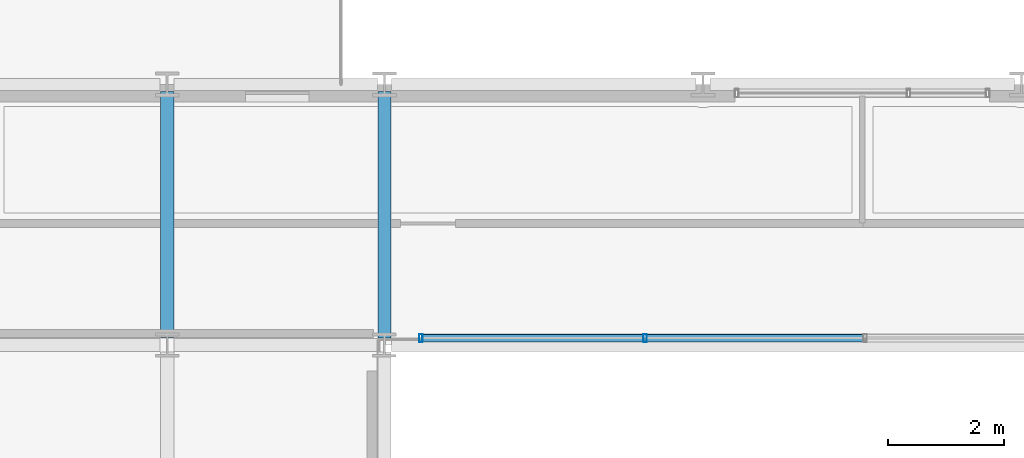
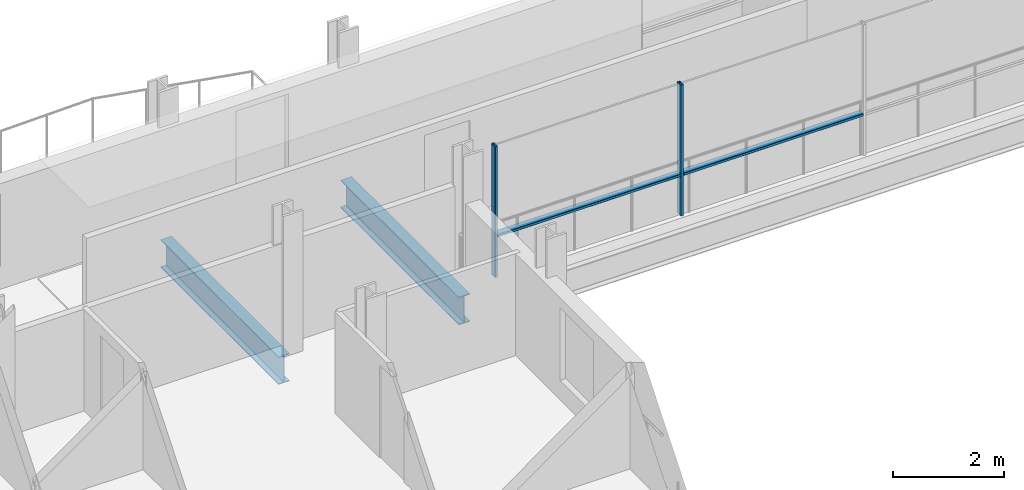
# One storey, part 9 of 41: 4 members, 2 beams, 1 element without a shape of its own.
"""IFC4 building model written with IfcOpenShell, lengths in metres."""

from ifc_helpers import new_model, si_unit, direction, frame, origin, origin_2d, place, context, subcontext, project, spatial, hollow_rectangle, i_section, extrude, material, layer, layer_set, material_profile, profile_set, type_object, element, aggregate, save


model = new_model("IFC4")

# Units and contexts
model_context = context("Model", 3, precision=1e-05, world=origin(), true_north=direction((0.0, 1.0)))
body_context = subcontext(model_context, "Body", "Model", "MODEL_VIEW")
ifc_project = project(units=[si_unit("LENGTHUNIT", "METRE"), si_unit("AREAUNIT", "SQUARE_METRE"), si_unit("VOLUMEUNIT", "CUBIC_METRE"), si_unit("PLANEANGLEUNIT", "RADIAN"), si_unit("MASSUNIT", "GRAM", prefix="KILO")], contexts=[model_context])

# Site, building, storey
site_placement = place(None, origin())
site = spatial("IfcSite", under=ifc_project, at=site_placement, CompositionType="ELEMENT")
building_placement = place(site_placement, origin())
building = spatial("IfcBuilding", under=site, at=building_placement, Name="Brevholm Reach", CompositionType="ELEMENT")
storey_placement = place(building_placement, frame((0.0, 0.0, 106.60009765625)))
storey = spatial("IfcBuildingStorey", under=building, at=storey_placement, Name="L31", CompositionType="ELEMENT", Elevation=106.60009765625)

# Beams
ifc_material_1 = material(Name="Structural Steel S355J2", Category="steel")
ifc_material_profile_1 = material_profile(ifc_material_1, i_section(OverallWidth=0.22900390625, OverallDepth=0.6123046875, WebThickness=0.011962890625, FlangeThickness=0.01953125, FilletRadius=0.0126953125, at=origin_2d()), Name="UKB 610x229x125")
ifc_profile_set_1 = profile_set([ifc_material_profile_1], Name="Structural Steel S355J2")
beam_type = type_object("IfcBeamType", Name="BM-SP610", PredefinedType="SPANDREL", material=ifc_profile_set_1)
for number, where, z_axis, x_axis, name in (
    (1, (18.0, 26.6201171875, -0.526123046875), (0.0, 1.0, 0.0), (-1.0, 0.0, 0.0), "L31 SP-01 Framing Beam"),
    (2, (21.75, 26.6201171875, -0.526123046875), (0.0, 1.0, 0.0), (-1.0, 0.0, 0.0), "L31 SP-01 Framing Beam"),
):
    element("IfcBeam", number, at=place(storey_placement, frame(where, z_axis=z_axis, x_axis=x_axis)), inside=storey, type_object=beam_type, Name=name, PredefinedType="SPANDREL", context=body_context, shape_type="SweptSolid", body=[
        extrude(i_section(OverallWidth=0.22900390625, OverallDepth=0.6123046875, WebThickness=0.011962890625, FlangeThickness=0.01953125, FilletRadius=0.0126953125, at=origin_2d()), origin(), (0.0, 0.0, 1.0), 4.259765625),
    ])

# Curtain wall, members
ifc_material_2 = material(Name="Dark Anodised Aluminium 6063-T6 and Solar-Control Glass", Category="aluminium")
ifc_layer = layer(ifc_material_2, 0.139892578125)
ifc_layer_set = layer_set([ifc_layer], Name="Dark Anodised Aluminium 6063-T6 and Solar-Control Glass")
curtain_wall_type = type_object("IfcCurtainWallType", Name="CW-02", PredefinedType="NOTDEFINED", material=ifc_layer_set)
curtain_wall_placement = place(storey_placement, origin())
curtain_wall = element("IfcCurtainWall", 3, at=curtain_wall_placement, inside=storey, type_object=curtain_wall_type, Name="L31 Curtain Wall CW-02", PredefinedType="NOTDEFINED")
ifc_material_3 = material(Name="Dark Anodised Aluminium 6063-T6", Category="aluminium")
ifc_material_profile_2 = material_profile(ifc_material_3, hollow_rectangle(XDim=0.06005859375, YDim=0.139892578125, WallThickness=0.0048828125, InnerFilletRadius=0.0048828125, OuterFilletRadius=0.010009765625, at=origin_2d()), Name="RHS 140x60x5")
ifc_profile_set_2 = profile_set([ifc_material_profile_2], Name="Dark Anodised Aluminium 6063-T6")
member_type_1 = type_object("IfcMemberType", Name="CWM-140", PredefinedType="MULLION", material=ifc_profile_set_2)
member_1_placement = place(storey_placement, frame((26.25, 26.6201171875, 0.0), z_axis=(0.0, 0.0, 1.0), x_axis=(-1.0, 0.0, 0.0)))
member_1 = element("IfcMember", 4, at=member_1_placement, type_object=member_type_1, Name="CM-140 Mullion 4", PredefinedType="MULLION", context=body_context, shape_type="SweptSolid", body=[
    extrude(hollow_rectangle(XDim=0.06005859375, YDim=0.139892578125, WallThickness=0.0048828125, InnerFilletRadius=0.0048828125, OuterFilletRadius=0.010009765625, at=origin_2d()), origin(), (0.0, 0.0, 1.0), 2.8798828125),
])
member_2_placement = place(storey_placement, frame((22.3798828125, 26.6201171875, 0.0), z_axis=(0.0, 0.0, 1.0), x_axis=(-1.0, 0.0, 0.0)))
member_2 = element("IfcMember", 5, at=member_2_placement, type_object=member_type_1, Name="CM-140 Mullion 5", PredefinedType="MULLION", context=body_context, shape_type="SweptSolid", body=[
    extrude(hollow_rectangle(XDim=0.06005859375, YDim=0.139892578125, WallThickness=0.0048828125, InnerFilletRadius=0.0048828125, OuterFilletRadius=0.010009765625, at=origin_2d()), origin(), (0.0, 0.0, 1.0), 2.8798828125),
])
ifc_material_4 = material(Name="Dark Anodised Aluminium 6063-T6", Category="aluminium")
ifc_material_profile_3 = material_profile(ifc_material_4, hollow_rectangle(XDim=0.06005859375, YDim=0.139892578125, WallThickness=0.0048828125, InnerFilletRadius=0.0048828125, OuterFilletRadius=0.010009765625, at=origin_2d()), Name="RHS 140x60x5")
ifc_profile_set_3 = profile_set([ifc_material_profile_3], Name="Dark Anodised Aluminium 6063-T6")
member_type_2 = type_object("IfcMemberType", Name="CWT-140", PredefinedType="NOTDEFINED", material=ifc_profile_set_3)
member_3_placement = place(storey_placement, frame((30.02001953125, 26.6201171875, 0.89990234375), z_axis=(-1.0, 0.0, 0.0), x_axis=(0.0, 0.0, 1.0)))
member_3 = element("IfcMember", 6, at=member_3_placement, type_object=member_type_2, Name="CT-140 Transom 3.1", ObjectType="TRANSOM", PredefinedType="USERDEFINED", context=body_context, shape_type="SweptSolid", body=[
    extrude(hollow_rectangle(XDim=0.06005859375, YDim=0.139892578125, WallThickness=0.0048828125, InnerFilletRadius=0.0048828125, OuterFilletRadius=0.010009765625, at=origin_2d()), origin(), (0.0, 0.0, 1.0), 3.739990234375),
])
member_4_placement = place(storey_placement, frame((26.219970703125, 26.6201171875, 0.89990234375), z_axis=(-1.0, 0.0, 0.0), x_axis=(0.0, 0.0, 1.0)))
member_4 = element("IfcMember", 7, at=member_4_placement, type_object=member_type_2, Name="CT-140 Transom 4.1", ObjectType="TRANSOM", PredefinedType="USERDEFINED", context=body_context, shape_type="SweptSolid", body=[
    extrude(hollow_rectangle(XDim=0.06005859375, YDim=0.139892578125, WallThickness=0.0048828125, InnerFilletRadius=0.0048828125, OuterFilletRadius=0.010009765625, at=origin_2d()), origin(), (0.0, 0.0, 1.0), 3.81005859375),
])
aggregate(curtain_wall, [member_1, member_2, member_3, member_4])

save(model, "model.ifc")
